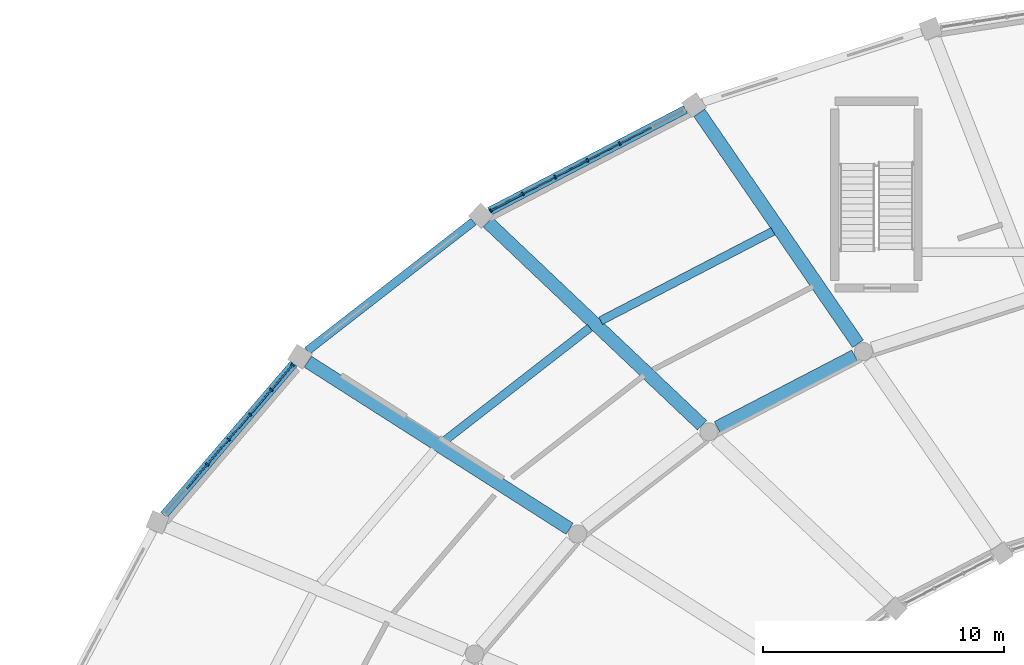
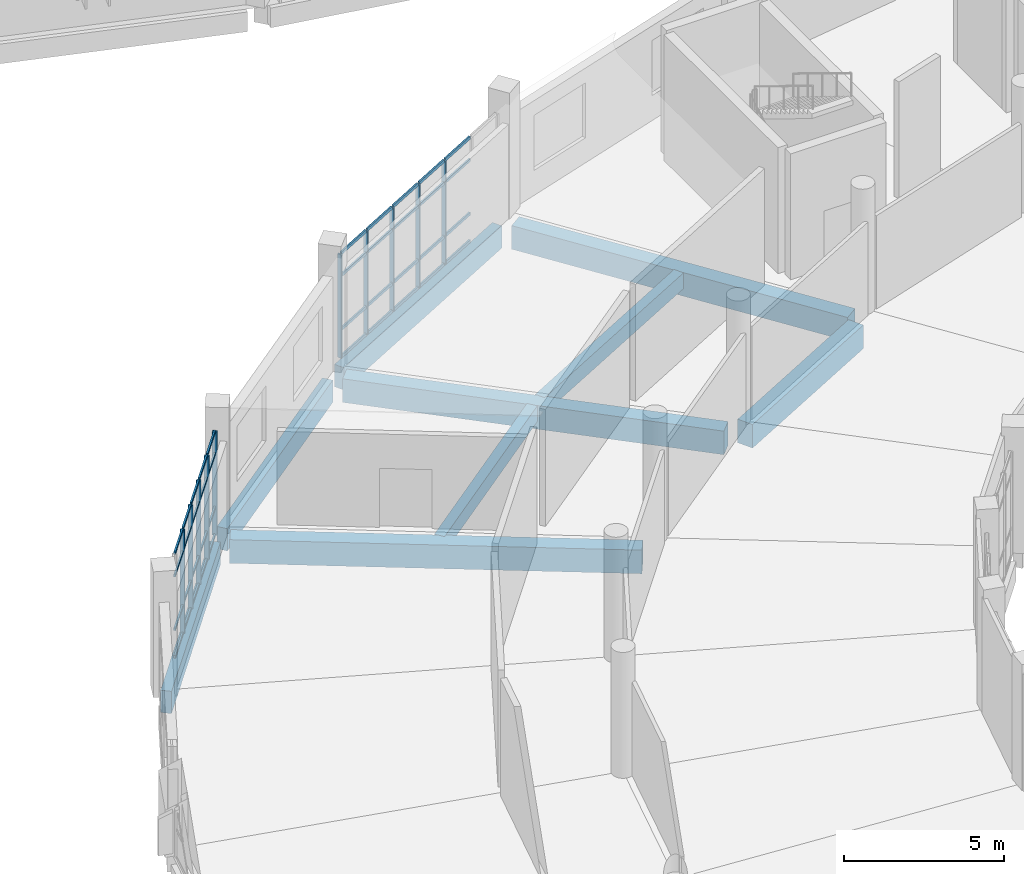
# One storey, part 26 of 179: 50 members, 9 beams, 2 elements without a shape of their own.
"""IFC4 building model written with IfcOpenShell, lengths in metres."""

from ifc_helpers import new_model, si_unit, direction, frame, origin, origin_2d, place, context, subcontext, project, spatial, rectangle, extrude, material, layer, layer_set, material_profile, profile_set, type_object, element, aggregate, save


model = new_model("IFC4")

# Units and contexts
model_context = context("Model", 3, precision=1e-05, world=origin(), true_north=direction((0.0, 1.0)))
body_context = subcontext(model_context, "Body", "Model", "MODEL_VIEW")
ifc_project = project(units=[si_unit("LENGTHUNIT", "METRE"), si_unit("AREAUNIT", "SQUARE_METRE"), si_unit("VOLUMEUNIT", "CUBIC_METRE"), si_unit("PLANEANGLEUNIT", "RADIAN"), si_unit("MASSUNIT", "GRAM", prefix="KILO")], contexts=[model_context])

# Site, building, storey
site_placement = place(None, origin())
site = spatial("IfcSite", under=ifc_project, at=site_placement, CompositionType="ELEMENT")
building_placement = place(site_placement, origin())
building = spatial("IfcBuilding", under=site, at=building_placement, Name="Corvandel Quay Wholesale Market", CompositionType="ELEMENT")
storey_placement = place(building_placement, frame((0.0, 0.0, 6.0)))
storey = spatial("IfcBuildingStorey", under=building, at=storey_placement, Name="L01", CompositionType="ELEMENT", Elevation=6.0)

# Curtain wall, members
ifc_material_1 = material(Name="Bronze anodised aluminium and low-E insulated glazing", Category="aluminium")
ifc_layer_1 = layer(ifc_material_1, 0.14990234375)
ifc_layer_set_1 = layer_set([ifc_layer_1], Name="Bronze anodised aluminium and low-E insulated glazing")
curtain_wall_type_1 = type_object("IfcCurtainWallType", Name="Stick Curtain Wall System CW15 H4350", PredefinedType="NOTDEFINED", material=ifc_layer_set_1)
curtain_wall_1_placement = place(storey_placement, origin())
curtain_wall_1 = element("IfcCurtainWall", 1, at=curtain_wall_1_placement, inside=storey, type_object=curtain_wall_type_1, Name="Curtain Wall CW-0031", PredefinedType="NOTDEFINED")
ifc_material_2 = material(Name="Anodised aluminium 6063-T6", Category="aluminium")
ifc_material_profile_1 = material_profile(ifc_material_2, rectangle(XDim=0.06494140625, YDim=0.14990234375, at=origin_2d()), Name="ALU-MUL-65x150")
ifc_profile_set_1 = profile_set([ifc_material_profile_1], Name="Anodised aluminium 6063-T6")
member_type_1 = type_object("IfcMemberType", Name="Curtain Wall Mullion ML02 65x150", PredefinedType="MULLION", material=ifc_profile_set_1)
member_1_placement = place(storey_placement, frame((85.33984375, 77.618896484375, 0.0), z_axis=(0.0, 0.0, 1.0), x_axis=(0.887332978338, 0.461129250378, 0.0)))
member_1 = element("IfcMember", 2, at=member_1_placement, type_object=member_type_1, Name="Mullion CW-0031-M02", PredefinedType="MULLION", context=body_context, shape_type="SweptSolid", body=[
    extrude(rectangle(XDim=0.06494140625, YDim=0.14990234375, at=origin_2d()), origin(), (0.0, 0.0, 1.0), 3.949951171875),
])
member_2_placement = place(storey_placement, frame((83.9990234375, 76.922119140625, 0.0), z_axis=(0.0, 0.0, 1.0), x_axis=(0.887332978338, 0.461129250378, 0.0)))
member_2 = element("IfcMember", 3, at=member_2_placement, type_object=member_type_1, Name="Mullion CW-0031-M03", PredefinedType="MULLION", context=body_context, shape_type="SweptSolid", body=[
    extrude(rectangle(XDim=0.06494140625, YDim=0.14990234375, at=origin_2d()), origin(), (0.0, 0.0, 1.0), 3.949951171875),
])
member_3_placement = place(storey_placement, frame((82.658203125, 76.22509765625, 0.0), z_axis=(0.0, 0.0, 1.0), x_axis=(0.887332978338, 0.461129250378, 0.0)))
member_3 = element("IfcMember", 4, at=member_3_placement, type_object=member_type_1, Name="Mullion CW-0031-M04", PredefinedType="MULLION", context=body_context, shape_type="SweptSolid", body=[
    extrude(rectangle(XDim=0.06494140625, YDim=0.14990234375, at=origin_2d()), origin(), (0.0, 0.0, 1.0), 3.949951171875),
])
member_4_placement = place(storey_placement, frame((81.317138671875, 75.5283203125, 0.0), z_axis=(0.0, 0.0, 1.0), x_axis=(0.887332978338, 0.461129250378, 0.0)))
member_4 = element("IfcMember", 5, at=member_4_placement, type_object=member_type_1, Name="Mullion CW-0031-M05", PredefinedType="MULLION", context=body_context, shape_type="SweptSolid", body=[
    extrude(rectangle(XDim=0.06494140625, YDim=0.14990234375, at=origin_2d()), origin(), (0.0, 0.0, 1.0), 3.949951171875),
])
member_5_placement = place(storey_placement, frame((79.976318359375, 74.83154296875, 0.0), z_axis=(0.0, 0.0, 1.0), x_axis=(0.887332978338, 0.461129250378, 0.0)))
member_5 = element("IfcMember", 6, at=member_5_placement, type_object=member_type_1, Name="Mullion CW-0031-M06", PredefinedType="MULLION", context=body_context, shape_type="SweptSolid", body=[
    extrude(rectangle(XDim=0.06494140625, YDim=0.14990234375, at=origin_2d()), origin(), (0.0, 0.0, 1.0), 3.949951171875),
])

ifc_layer_2 = layer(ifc_material_1, 0.174072265625)
ifc_layer_set_2 = layer_set([ifc_layer_2], Name="Bronze anodised aluminium and low-E insulated glazing")
curtain_wall_type_2 = type_object("IfcCurtainWallType", Name="Stick Curtain Wall System CW17 H4530", PredefinedType="NOTDEFINED", material=ifc_layer_set_2)
curtain_wall_2_placement = place(storey_placement, origin())
curtain_wall_2 = element("IfcCurtainWall", 7, at=curtain_wall_2_placement, inside=storey, type_object=curtain_wall_type_2, Name="Curtain Wall CW-0036", PredefinedType="NOTDEFINED")
member_6_placement = place(storey_placement, frame((71.76171875, 68.431640625, 0.0), z_axis=(0.0, 0.0, 1.0), x_axis=(0.651568967347, 0.758589401976, 0.0)))
member_6 = element("IfcMember", 8, at=member_6_placement, type_object=member_type_1, Name="Mullion CW-0036-M00", PredefinedType="MULLION", context=body_context, shape_type="SweptSolid", body=[
    extrude(rectangle(XDim=0.06494140625, YDim=0.14990234375, at=origin_2d()), origin(), (0.0, 0.0, 1.0), 3.949951171875),
])
member_7_placement = place(storey_placement, frame((70.874755859375, 67.39892578125, 0.0), z_axis=(0.0, 0.0, 1.0), x_axis=(0.651568967347, 0.758589401976, 0.0)))
member_7 = element("IfcMember", 9, at=member_7_placement, type_object=member_type_1, Name="Mullion CW-0036-M01", PredefinedType="MULLION", context=body_context, shape_type="SweptSolid", body=[
    extrude(rectangle(XDim=0.06494140625, YDim=0.14990234375, at=origin_2d()), origin(), (0.0, 0.0, 1.0), 3.949951171875),
])
member_8_placement = place(storey_placement, frame((69.987548828125, 66.3662109375, 0.0), z_axis=(0.0, 0.0, 1.0), x_axis=(0.651568967347, 0.758589401976, 0.0)))
member_8 = element("IfcMember", 10, at=member_8_placement, type_object=member_type_1, Name="Mullion CW-0036-M02", PredefinedType="MULLION", context=body_context, shape_type="SweptSolid", body=[
    extrude(rectangle(XDim=0.06494140625, YDim=0.14990234375, at=origin_2d()), origin(), (0.0, 0.0, 1.0), 3.949951171875),
])
member_9_placement = place(storey_placement, frame((69.1005859375, 65.33349609375, 0.0), z_axis=(0.0, 0.0, 1.0), x_axis=(0.651568967347, 0.758589401976, 0.0)))
member_9 = element("IfcMember", 11, at=member_9_placement, type_object=member_type_1, Name="Mullion CW-0036-M03", PredefinedType="MULLION", context=body_context, shape_type="SweptSolid", body=[
    extrude(rectangle(XDim=0.06494140625, YDim=0.14990234375, at=origin_2d()), origin(), (0.0, 0.0, 1.0), 3.949951171875),
])
member_10_placement = place(storey_placement, frame((68.21337890625, 64.30078125, 0.0), z_axis=(0.0, 0.0, 1.0), x_axis=(0.651568967347, 0.758589401976, 0.0)))
member_10 = element("IfcMember", 12, at=member_10_placement, type_object=member_type_1, Name="Mullion CW-0036-M04", PredefinedType="MULLION", context=body_context, shape_type="SweptSolid", body=[
    extrude(rectangle(XDim=0.06494140625, YDim=0.14990234375, at=origin_2d()), origin(), (0.0, 0.0, 1.0), 3.949951171875),
])

# Member
ifc_material_profile_2 = material_profile(ifc_material_2, rectangle(XDim=0.06005859375, YDim=0.110107421875, at=origin_2d()), Name="ALU-TRN-60x110")
ifc_profile_set_2 = profile_set([ifc_material_profile_2], Name="Anodised aluminium 6063-T6")
member_type_2 = type_object("IfcMemberType", Name="Curtain Wall Transom TR02 60x110", PredefinedType="USERDEFINED", material=ifc_profile_set_2)
member_11_placement = place(storey_placement, frame((86.652099609375, 78.30078125, 0.0), z_axis=(-0.887330080745, -0.46113482606, 0.0), x_axis=(0.46113482606, -0.887330080745, 0.0)))
member_11 = element("IfcMember", 13, at=member_11_placement, type_object=member_type_2, Name="Transom CW-0031-T01-0", ObjectType="TRANSOM", PredefinedType="USERDEFINED", context=body_context, shape_type="SweptSolid", body=[
    extrude(rectangle(XDim=0.06005859375, YDim=0.110107421875, at=origin_2d()), origin(), (0.0, 0.0, 1.0), 1.446533203125),
])

member_12_placement = place(storey_placement, frame((86.652099609375, 78.30078125, 1.050048828125), z_axis=(-0.887330080745, -0.46113482606, 0.0), x_axis=(0.46113482606, -0.887330080745, 0.0)))
member_12 = element("IfcMember", 14, at=member_12_placement, type_object=member_type_2, Name="Transom CW-0031-T01-1", ObjectType="TRANSOM", PredefinedType="USERDEFINED", context=body_context, shape_type="SweptSolid", body=[
    extrude(rectangle(XDim=0.06005859375, YDim=0.110107421875, at=origin_2d()), origin(), (0.0, 0.0, 1.0), 1.446533203125),
])

member_13_placement = place(storey_placement, frame((86.652099609375, 78.30078125, 3.10009765625), z_axis=(-0.887330080745, -0.46113482606, 0.0), x_axis=(0.46113482606, -0.887330080745, 0.0)))
member_13 = element("IfcMember", 15, at=member_13_placement, type_object=member_type_2, Name="Transom CW-0031-T01-2", ObjectType="TRANSOM", PredefinedType="USERDEFINED", context=body_context, shape_type="SweptSolid", body=[
    extrude(rectangle(XDim=0.06005859375, YDim=0.110107421875, at=origin_2d()), origin(), (0.0, 0.0, 1.0), 1.446533203125),
])

member_14_placement = place(storey_placement, frame((86.652099609375, 78.30078125, 3.949951171875), z_axis=(-0.887330080745, -0.46113482606, 0.0), x_axis=(0.46113482606, -0.887330080745, 0.0)))
member_14 = element("IfcMember", 16, at=member_14_placement, type_object=member_type_2, Name="Transom CW-0031-T01-3", ObjectType="TRANSOM", PredefinedType="USERDEFINED", context=body_context, shape_type="SweptSolid", body=[
    extrude(rectangle(XDim=0.06005859375, YDim=0.110107421875, at=origin_2d()), origin(), (0.0, 0.0, 1.0), 1.446533203125),
])

member_15_placement = place(storey_placement, frame((85.31103515625, 77.603759765625, 0.0), z_axis=(-0.887363258925, -0.461070977953, 0.0), x_axis=(0.461070977953, -0.887363258925, 0.0)))
member_15 = element("IfcMember", 17, at=member_15_placement, type_object=member_type_2, Name="Transom CW-0031-T02-0", ObjectType="TRANSOM", PredefinedType="USERDEFINED", context=body_context, shape_type="SweptSolid", body=[
    extrude(rectangle(XDim=0.06005859375, YDim=0.110107421875, at=origin_2d()), origin(), (0.0, 0.0, 1.0), 1.446044921875),
])

member_16_placement = place(storey_placement, frame((85.31103515625, 77.603759765625, 1.050048828125), z_axis=(-0.887363258925, -0.461070977953, 0.0), x_axis=(0.461070977953, -0.887363258925, 0.0)))
member_16 = element("IfcMember", 18, at=member_16_placement, type_object=member_type_2, Name="Transom CW-0031-T02-1", ObjectType="TRANSOM", PredefinedType="USERDEFINED", context=body_context, shape_type="SweptSolid", body=[
    extrude(rectangle(XDim=0.06005859375, YDim=0.110107421875, at=origin_2d()), origin(), (0.0, 0.0, 1.0), 1.446044921875),
])

member_17_placement = place(storey_placement, frame((85.31103515625, 77.603759765625, 3.10009765625), z_axis=(-0.887363258925, -0.461070977953, 0.0), x_axis=(0.461070977953, -0.887363258925, 0.0)))
member_17 = element("IfcMember", 19, at=member_17_placement, type_object=member_type_2, Name="Transom CW-0031-T02-2", ObjectType="TRANSOM", PredefinedType="USERDEFINED", context=body_context, shape_type="SweptSolid", body=[
    extrude(rectangle(XDim=0.06005859375, YDim=0.110107421875, at=origin_2d()), origin(), (0.0, 0.0, 1.0), 1.446044921875),
])

member_18_placement = place(storey_placement, frame((85.31103515625, 77.603759765625, 3.949951171875), z_axis=(-0.887363258925, -0.461070977953, 0.0), x_axis=(0.461070977953, -0.887363258925, 0.0)))
member_18 = element("IfcMember", 20, at=member_18_placement, type_object=member_type_2, Name="Transom CW-0031-T02-3", ObjectType="TRANSOM", PredefinedType="USERDEFINED", context=body_context, shape_type="SweptSolid", body=[
    extrude(rectangle(XDim=0.06005859375, YDim=0.110107421875, at=origin_2d()), origin(), (0.0, 0.0, 1.0), 1.446044921875),
])

member_19_placement = place(storey_placement, frame((83.97021484375, 76.906982421875, 0.0), z_axis=(-0.887363258925, -0.461070977953, 0.0), x_axis=(0.461070977953, -0.887363258925, 0.0)))
member_19 = element("IfcMember", 21, at=member_19_placement, type_object=member_type_2, Name="Transom CW-0031-T03-0", ObjectType="TRANSOM", PredefinedType="USERDEFINED", context=body_context, shape_type="SweptSolid", body=[
    extrude(rectangle(XDim=0.06005859375, YDim=0.110107421875, at=origin_2d()), origin(), (0.0, 0.0, 1.0), 1.446044921875),
])

member_20_placement = place(storey_placement, frame((83.97021484375, 76.906982421875, 1.050048828125), z_axis=(-0.887363258925, -0.461070977953, 0.0), x_axis=(0.461070977953, -0.887363258925, 0.0)))
member_20 = element("IfcMember", 22, at=member_20_placement, type_object=member_type_2, Name="Transom CW-0031-T03-1", ObjectType="TRANSOM", PredefinedType="USERDEFINED", context=body_context, shape_type="SweptSolid", body=[
    extrude(rectangle(XDim=0.06005859375, YDim=0.110107421875, at=origin_2d()), origin(), (0.0, 0.0, 1.0), 1.446044921875),
])

member_21_placement = place(storey_placement, frame((83.97021484375, 76.906982421875, 3.10009765625), z_axis=(-0.887363258925, -0.461070977953, 0.0), x_axis=(0.461070977953, -0.887363258925, 0.0)))
member_21 = element("IfcMember", 23, at=member_21_placement, type_object=member_type_2, Name="Transom CW-0031-T03-2", ObjectType="TRANSOM", PredefinedType="USERDEFINED", context=body_context, shape_type="SweptSolid", body=[
    extrude(rectangle(XDim=0.06005859375, YDim=0.110107421875, at=origin_2d()), origin(), (0.0, 0.0, 1.0), 1.446044921875),
])

member_22_placement = place(storey_placement, frame((83.97021484375, 76.906982421875, 3.949951171875), z_axis=(-0.887363258925, -0.461070977953, 0.0), x_axis=(0.461070977953, -0.887363258925, 0.0)))
member_22 = element("IfcMember", 24, at=member_22_placement, type_object=member_type_2, Name="Transom CW-0031-T03-3", ObjectType="TRANSOM", PredefinedType="USERDEFINED", context=body_context, shape_type="SweptSolid", body=[
    extrude(rectangle(XDim=0.06005859375, YDim=0.110107421875, at=origin_2d()), origin(), (0.0, 0.0, 1.0), 1.446044921875),
])

member_23_placement = place(storey_placement, frame((82.62939453125, 76.210205078125, 0.0), z_axis=(-0.887330080745, -0.46113482606, 0.0), x_axis=(0.46113482606, -0.887330080745, 0.0)))
member_23 = element("IfcMember", 25, at=member_23_placement, type_object=member_type_2, Name="Transom CW-0031-T04-0", ObjectType="TRANSOM", PredefinedType="USERDEFINED", context=body_context, shape_type="SweptSolid", body=[
    extrude(rectangle(XDim=0.06005859375, YDim=0.110107421875, at=origin_2d()), origin(), (0.0, 0.0, 1.0), 1.446533203125),
])

member_24_placement = place(storey_placement, frame((82.62939453125, 76.210205078125, 1.050048828125), z_axis=(-0.887330080745, -0.46113482606, 0.0), x_axis=(0.46113482606, -0.887330080745, 0.0)))
member_24 = element("IfcMember", 26, at=member_24_placement, type_object=member_type_2, Name="Transom CW-0031-T04-1", ObjectType="TRANSOM", PredefinedType="USERDEFINED", context=body_context, shape_type="SweptSolid", body=[
    extrude(rectangle(XDim=0.06005859375, YDim=0.110107421875, at=origin_2d()), origin(), (0.0, 0.0, 1.0), 1.446533203125),
])

member_25_placement = place(storey_placement, frame((82.62939453125, 76.210205078125, 3.10009765625), z_axis=(-0.887330080745, -0.46113482606, 0.0), x_axis=(0.46113482606, -0.887330080745, 0.0)))
member_25 = element("IfcMember", 27, at=member_25_placement, type_object=member_type_2, Name="Transom CW-0031-T04-2", ObjectType="TRANSOM", PredefinedType="USERDEFINED", context=body_context, shape_type="SweptSolid", body=[
    extrude(rectangle(XDim=0.06005859375, YDim=0.110107421875, at=origin_2d()), origin(), (0.0, 0.0, 1.0), 1.446533203125),
])

member_26_placement = place(storey_placement, frame((82.62939453125, 76.210205078125, 3.949951171875), z_axis=(-0.887330080745, -0.46113482606, 0.0), x_axis=(0.46113482606, -0.887330080745, 0.0)))
member_26 = element("IfcMember", 28, at=member_26_placement, type_object=member_type_2, Name="Transom CW-0031-T04-3", ObjectType="TRANSOM", PredefinedType="USERDEFINED", context=body_context, shape_type="SweptSolid", body=[
    extrude(rectangle(XDim=0.06005859375, YDim=0.110107421875, at=origin_2d()), origin(), (0.0, 0.0, 1.0), 1.446533203125),
])

member_27_placement = place(storey_placement, frame((81.288330078125, 75.51318359375, 0.0), z_axis=(-0.887363258925, -0.461070977953, 0.0), x_axis=(0.461070977953, -0.887363258925, 0.0)))
member_27 = element("IfcMember", 29, at=member_27_placement, type_object=member_type_2, Name="Transom CW-0031-T05-0", ObjectType="TRANSOM", PredefinedType="USERDEFINED", context=body_context, shape_type="SweptSolid", body=[
    extrude(rectangle(XDim=0.06005859375, YDim=0.110107421875, at=origin_2d()), origin(), (0.0, 0.0, 1.0), 1.446044921875),
])

member_28_placement = place(storey_placement, frame((81.288330078125, 75.51318359375, 1.050048828125), z_axis=(-0.887363258925, -0.461070977953, 0.0), x_axis=(0.461070977953, -0.887363258925, 0.0)))
member_28 = element("IfcMember", 30, at=member_28_placement, type_object=member_type_2, Name="Transom CW-0031-T05-1", ObjectType="TRANSOM", PredefinedType="USERDEFINED", context=body_context, shape_type="SweptSolid", body=[
    extrude(rectangle(XDim=0.06005859375, YDim=0.110107421875, at=origin_2d()), origin(), (0.0, 0.0, 1.0), 1.446044921875),
])

member_29_placement = place(storey_placement, frame((81.288330078125, 75.51318359375, 3.10009765625), z_axis=(-0.887363258925, -0.461070977953, 0.0), x_axis=(0.461070977953, -0.887363258925, 0.0)))
member_29 = element("IfcMember", 31, at=member_29_placement, type_object=member_type_2, Name="Transom CW-0031-T05-2", ObjectType="TRANSOM", PredefinedType="USERDEFINED", context=body_context, shape_type="SweptSolid", body=[
    extrude(rectangle(XDim=0.06005859375, YDim=0.110107421875, at=origin_2d()), origin(), (0.0, 0.0, 1.0), 1.446044921875),
])

member_30_placement = place(storey_placement, frame((81.288330078125, 75.51318359375, 3.949951171875), z_axis=(-0.887363258925, -0.461070977953, 0.0), x_axis=(0.461070977953, -0.887363258925, 0.0)))
member_30 = element("IfcMember", 32, at=member_30_placement, type_object=member_type_2, Name="Transom CW-0031-T05-3", ObjectType="TRANSOM", PredefinedType="USERDEFINED", context=body_context, shape_type="SweptSolid", body=[
    extrude(rectangle(XDim=0.06005859375, YDim=0.110107421875, at=origin_2d()), origin(), (0.0, 0.0, 1.0), 1.446044921875),
])

aggregate(curtain_wall_1, [member_1, member_2, member_3, member_4, member_5, member_11, member_12, member_13, member_14, member_15, member_16, member_17, member_18, member_19, member_20, member_21, member_22, member_23, member_24, member_25, member_26, member_27, member_28, member_29, member_30])

member_31_placement = place(storey_placement, frame((71.740478515625, 68.406982421875, 0.0), z_axis=(-0.651489086867, -0.758658005753, 0.0), x_axis=(0.758658005753, -0.651489086867, 0.0)))
member_31 = element("IfcMember", 33, at=member_31_placement, type_object=member_type_2, Name="Transom CW-0036-T00-0", ObjectType="TRANSOM", PredefinedType="USERDEFINED", context=body_context, shape_type="SweptSolid", body=[
    extrude(rectangle(XDim=0.06005859375, YDim=0.110107421875, at=origin_2d()), origin(), (0.0, 0.0, 1.0), 1.296142578125),
])

member_32_placement = place(storey_placement, frame((71.740478515625, 68.406982421875, 1.050048828125), z_axis=(-0.651489086867, -0.758658005753, 0.0), x_axis=(0.758658005753, -0.651489086867, 0.0)))
member_32 = element("IfcMember", 34, at=member_32_placement, type_object=member_type_2, Name="Transom CW-0036-T00-1", ObjectType="TRANSOM", PredefinedType="USERDEFINED", context=body_context, shape_type="SweptSolid", body=[
    extrude(rectangle(XDim=0.06005859375, YDim=0.110107421875, at=origin_2d()), origin(), (0.0, 0.0, 1.0), 1.296142578125),
])

member_33_placement = place(storey_placement, frame((71.740478515625, 68.406982421875, 3.10009765625), z_axis=(-0.651489086867, -0.758658005753, 0.0), x_axis=(0.758658005753, -0.651489086867, 0.0)))
member_33 = element("IfcMember", 35, at=member_33_placement, type_object=member_type_2, Name="Transom CW-0036-T00-2", ObjectType="TRANSOM", PredefinedType="USERDEFINED", context=body_context, shape_type="SweptSolid", body=[
    extrude(rectangle(XDim=0.06005859375, YDim=0.110107421875, at=origin_2d()), origin(), (0.0, 0.0, 1.0), 1.296142578125),
])

member_34_placement = place(storey_placement, frame((71.740478515625, 68.406982421875, 3.949951171875), z_axis=(-0.651489086867, -0.758658005753, 0.0), x_axis=(0.758658005753, -0.651489086867, 0.0)))
member_34 = element("IfcMember", 36, at=member_34_placement, type_object=member_type_2, Name="Transom CW-0036-T00-3", ObjectType="TRANSOM", PredefinedType="USERDEFINED", context=body_context, shape_type="SweptSolid", body=[
    extrude(rectangle(XDim=0.06005859375, YDim=0.110107421875, at=origin_2d()), origin(), (0.0, 0.0, 1.0), 1.296142578125),
])

member_35_placement = place(storey_placement, frame((70.853515625, 67.374267578125, 0.0), z_axis=(-0.651597471756, -0.758564917987, 0.0), x_axis=(0.758564917987, -0.651597471756, 0.0)))
member_35 = element("IfcMember", 37, at=member_35_placement, type_object=member_type_2, Name="Transom CW-0036-T01-0", ObjectType="TRANSOM", PredefinedType="USERDEFINED", context=body_context, shape_type="SweptSolid", body=[
    extrude(rectangle(XDim=0.06005859375, YDim=0.110107421875, at=origin_2d()), origin(), (0.0, 0.0, 1.0), 1.29638671875),
])

member_36_placement = place(storey_placement, frame((70.853515625, 67.374267578125, 1.050048828125), z_axis=(-0.651597471756, -0.758564917987, 0.0), x_axis=(0.758564917987, -0.651597471756, 0.0)))
member_36 = element("IfcMember", 38, at=member_36_placement, type_object=member_type_2, Name="Transom CW-0036-T01-1", ObjectType="TRANSOM", PredefinedType="USERDEFINED", context=body_context, shape_type="SweptSolid", body=[
    extrude(rectangle(XDim=0.06005859375, YDim=0.110107421875, at=origin_2d()), origin(), (0.0, 0.0, 1.0), 1.29638671875),
])

member_37_placement = place(storey_placement, frame((70.853515625, 67.374267578125, 3.10009765625), z_axis=(-0.651597471756, -0.758564917987, 0.0), x_axis=(0.758564917987, -0.651597471756, 0.0)))
member_37 = element("IfcMember", 39, at=member_37_placement, type_object=member_type_2, Name="Transom CW-0036-T01-2", ObjectType="TRANSOM", PredefinedType="USERDEFINED", context=body_context, shape_type="SweptSolid", body=[
    extrude(rectangle(XDim=0.06005859375, YDim=0.110107421875, at=origin_2d()), origin(), (0.0, 0.0, 1.0), 1.29638671875),
])

member_38_placement = place(storey_placement, frame((70.853515625, 67.374267578125, 3.949951171875), z_axis=(-0.651597471756, -0.758564917987, 0.0), x_axis=(0.758564917987, -0.651597471756, 0.0)))
member_38 = element("IfcMember", 40, at=member_38_placement, type_object=member_type_2, Name="Transom CW-0036-T01-3", ObjectType="TRANSOM", PredefinedType="USERDEFINED", context=body_context, shape_type="SweptSolid", body=[
    extrude(rectangle(XDim=0.06005859375, YDim=0.110107421875, at=origin_2d()), origin(), (0.0, 0.0, 1.0), 1.29638671875),
])

member_39_placement = place(storey_placement, frame((69.96630859375, 66.341552734375, 0.0), z_axis=(-0.651597471756, -0.758564917987, 0.0), x_axis=(0.758564917987, -0.651597471756, 0.0)))
member_39 = element("IfcMember", 41, at=member_39_placement, type_object=member_type_2, Name="Transom CW-0036-T02-0", ObjectType="TRANSOM", PredefinedType="USERDEFINED", context=body_context, shape_type="SweptSolid", body=[
    extrude(rectangle(XDim=0.06005859375, YDim=0.110107421875, at=origin_2d()), origin(), (0.0, 0.0, 1.0), 1.29638671875),
])

member_40_placement = place(storey_placement, frame((69.96630859375, 66.341552734375, 1.050048828125), z_axis=(-0.651597471756, -0.758564917987, 0.0), x_axis=(0.758564917987, -0.651597471756, 0.0)))
member_40 = element("IfcMember", 42, at=member_40_placement, type_object=member_type_2, Name="Transom CW-0036-T02-1", ObjectType="TRANSOM", PredefinedType="USERDEFINED", context=body_context, shape_type="SweptSolid", body=[
    extrude(rectangle(XDim=0.06005859375, YDim=0.110107421875, at=origin_2d()), origin(), (0.0, 0.0, 1.0), 1.29638671875),
])

member_41_placement = place(storey_placement, frame((69.96630859375, 66.341552734375, 3.10009765625), z_axis=(-0.651597471756, -0.758564917987, 0.0), x_axis=(0.758564917987, -0.651597471756, 0.0)))
member_41 = element("IfcMember", 43, at=member_41_placement, type_object=member_type_2, Name="Transom CW-0036-T02-2", ObjectType="TRANSOM", PredefinedType="USERDEFINED", context=body_context, shape_type="SweptSolid", body=[
    extrude(rectangle(XDim=0.06005859375, YDim=0.110107421875, at=origin_2d()), origin(), (0.0, 0.0, 1.0), 1.29638671875),
])

member_42_placement = place(storey_placement, frame((69.96630859375, 66.341552734375, 3.949951171875), z_axis=(-0.651597471756, -0.758564917987, 0.0), x_axis=(0.758564917987, -0.651597471756, 0.0)))
member_42 = element("IfcMember", 44, at=member_42_placement, type_object=member_type_2, Name="Transom CW-0036-T02-3", ObjectType="TRANSOM", PredefinedType="USERDEFINED", context=body_context, shape_type="SweptSolid", body=[
    extrude(rectangle(XDim=0.06005859375, YDim=0.110107421875, at=origin_2d()), origin(), (0.0, 0.0, 1.0), 1.29638671875),
])

member_43_placement = place(storey_placement, frame((69.079345703125, 65.308837890625, 0.0), z_axis=(-0.651597471756, -0.758564917987, 0.0), x_axis=(0.758564917987, -0.651597471756, 0.0)))
member_43 = element("IfcMember", 45, at=member_43_placement, type_object=member_type_2, Name="Transom CW-0036-T03-0", ObjectType="TRANSOM", PredefinedType="USERDEFINED", context=body_context, shape_type="SweptSolid", body=[
    extrude(rectangle(XDim=0.06005859375, YDim=0.110107421875, at=origin_2d()), origin(), (0.0, 0.0, 1.0), 1.29638671875),
])

member_44_placement = place(storey_placement, frame((69.079345703125, 65.308837890625, 1.050048828125), z_axis=(-0.651597471756, -0.758564917987, 0.0), x_axis=(0.758564917987, -0.651597471756, 0.0)))
member_44 = element("IfcMember", 46, at=member_44_placement, type_object=member_type_2, Name="Transom CW-0036-T03-1", ObjectType="TRANSOM", PredefinedType="USERDEFINED", context=body_context, shape_type="SweptSolid", body=[
    extrude(rectangle(XDim=0.06005859375, YDim=0.110107421875, at=origin_2d()), origin(), (0.0, 0.0, 1.0), 1.29638671875),
])

member_45_placement = place(storey_placement, frame((69.079345703125, 65.308837890625, 3.10009765625), z_axis=(-0.651597471756, -0.758564917987, 0.0), x_axis=(0.758564917987, -0.651597471756, 0.0)))
member_45 = element("IfcMember", 47, at=member_45_placement, type_object=member_type_2, Name="Transom CW-0036-T03-2", ObjectType="TRANSOM", PredefinedType="USERDEFINED", context=body_context, shape_type="SweptSolid", body=[
    extrude(rectangle(XDim=0.06005859375, YDim=0.110107421875, at=origin_2d()), origin(), (0.0, 0.0, 1.0), 1.29638671875),
])

member_46_placement = place(storey_placement, frame((69.079345703125, 65.308837890625, 3.949951171875), z_axis=(-0.651597471756, -0.758564917987, 0.0), x_axis=(0.758564917987, -0.651597471756, 0.0)))
member_46 = element("IfcMember", 48, at=member_46_placement, type_object=member_type_2, Name="Transom CW-0036-T03-3", ObjectType="TRANSOM", PredefinedType="USERDEFINED", context=body_context, shape_type="SweptSolid", body=[
    extrude(rectangle(XDim=0.06005859375, YDim=0.110107421875, at=origin_2d()), origin(), (0.0, 0.0, 1.0), 1.29638671875),
])

member_47_placement = place(storey_placement, frame((68.192138671875, 64.276123046875, 0.0), z_axis=(-0.651597471756, -0.758564917987, 0.0), x_axis=(0.758564917987, -0.651597471756, 0.0)))
member_47 = element("IfcMember", 49, at=member_47_placement, type_object=member_type_2, Name="Transom CW-0036-T04-0", ObjectType="TRANSOM", PredefinedType="USERDEFINED", context=body_context, shape_type="SweptSolid", body=[
    extrude(rectangle(XDim=0.06005859375, YDim=0.110107421875, at=origin_2d()), origin(), (0.0, 0.0, 1.0), 1.29638671875),
])

member_48_placement = place(storey_placement, frame((68.192138671875, 64.276123046875, 1.050048828125), z_axis=(-0.651597471756, -0.758564917987, 0.0), x_axis=(0.758564917987, -0.651597471756, 0.0)))
member_48 = element("IfcMember", 50, at=member_48_placement, type_object=member_type_2, Name="Transom CW-0036-T04-1", ObjectType="TRANSOM", PredefinedType="USERDEFINED", context=body_context, shape_type="SweptSolid", body=[
    extrude(rectangle(XDim=0.06005859375, YDim=0.110107421875, at=origin_2d()), origin(), (0.0, 0.0, 1.0), 1.29638671875),
])

member_49_placement = place(storey_placement, frame((68.192138671875, 64.276123046875, 3.10009765625), z_axis=(-0.651597471756, -0.758564917987, 0.0), x_axis=(0.758564917987, -0.651597471756, 0.0)))
member_49 = element("IfcMember", 51, at=member_49_placement, type_object=member_type_2, Name="Transom CW-0036-T04-2", ObjectType="TRANSOM", PredefinedType="USERDEFINED", context=body_context, shape_type="SweptSolid", body=[
    extrude(rectangle(XDim=0.06005859375, YDim=0.110107421875, at=origin_2d()), origin(), (0.0, 0.0, 1.0), 1.29638671875),
])

member_50_placement = place(storey_placement, frame((68.192138671875, 64.276123046875, 3.949951171875), z_axis=(-0.651597471756, -0.758564917987, 0.0), x_axis=(0.758564917987, -0.651597471756, 0.0)))
member_50 = element("IfcMember", 52, at=member_50_placement, type_object=member_type_2, Name="Transom CW-0036-T04-3", ObjectType="TRANSOM", PredefinedType="USERDEFINED", context=body_context, shape_type="SweptSolid", body=[
    extrude(rectangle(XDim=0.06005859375, YDim=0.110107421875, at=origin_2d()), origin(), (0.0, 0.0, 1.0), 1.29638671875),
])

aggregate(curtain_wall_2, [member_6, member_7, member_8, member_9, member_10, member_31, member_32, member_33, member_34, member_35, member_36, member_37, member_38, member_39, member_40, member_41, member_42, member_43, member_44, member_45, member_46, member_47, member_48, member_49, member_50])

# Beams
ifc_material_3 = material(Name="Precast concrete C45/55", Category="concrete")
ifc_material_profile_3 = material_profile(ifc_material_3, rectangle(XDim=0.35009765625, YDim=0.85009765625, at=origin_2d()), Name="PC-SPN-350x850")
ifc_profile_set_3 = profile_set([ifc_material_profile_3], Name="Precast concrete C45/55")
beam_type_1 = type_object("IfcBeamType", Name="Perimeter Precast Spandrel SP01 350x850", PredefinedType="SPANDREL", material=ifc_profile_set_3)
beam_1_placement = place(storey_placement, frame((88.070556640625, 79.037841796875, -0.72509765625), z_axis=(-0.887337425386, -0.461120692997, 0.0), x_axis=(0.461120692997, -0.887337425386, 0.0)))
element("IfcBeam", 53, at=beam_1_placement, inside=storey, type_object=beam_type_1, Name="Beam BM-0127", PredefinedType="SPANDREL", context=body_context, shape_type="SweptSolid", body=[
    extrude(rectangle(XDim=0.35009765625, YDim=0.85009765625, at=origin_2d()), origin(), (0.0, 0.0, 1.0), 9.177001953125),
])
beam_2_placement = place(storey_placement, frame((79.26513671875, 74.381591796875, -0.72509765625), z_axis=(-0.789310099269, -0.613994761535, 0.0), x_axis=(0.613994761535, -0.789310099269, 0.0)))
element("IfcBeam", 54, at=beam_2_placement, inside=storey, type_object=beam_type_1, Name="Beam BM-0140", PredefinedType="SPANDREL", context=body_context, shape_type="SweptSolid", body=[
    extrude(rectangle(XDim=0.35009765625, YDim=0.85009765625, at=origin_2d()), origin(), (0.0, 0.0, 1.0), 8.73974609375),
])
beam_3_placement = place(storey_placement, frame((71.797607421875, 68.473388671875, -0.72509765625), z_axis=(-0.651599746729, -0.758562963809, 0.0), x_axis=(0.758562963809, -0.651599746729, 0.0)))
element("IfcBeam", 55, at=beam_3_placement, inside=storey, type_object=beam_type_1, Name="Beam BM-0153", PredefinedType="SPANDREL", context=body_context, shape_type="SweptSolid", body=[
    extrude(rectangle(XDim=0.35009765625, YDim=0.85009765625, at=origin_2d()), origin(), (0.0, 0.0, 1.0), 8.278564453125),
])
ifc_material_profile_4 = material_profile(ifc_material_3, rectangle(XDim=0.550048828125, YDim=0.89990234375, at=origin_2d()), Name="PC-GIR-550x900")
ifc_profile_set_4 = profile_set([ifc_material_profile_4], Name="Precast concrete C45/55")
beam_type_2 = type_object("IfcBeamType", Name="Produce Hall Radial Girder G03 550x900", PredefinedType="USERDEFINED", material=ifc_profile_set_4)
beam_4_placement = place(storey_placement, frame((95.10546875, 68.802001953125, -0.75), z_axis=(-0.887355240172, -0.461086410274, 0.0), x_axis=(0.461086410274, -0.887355240172, 0.0)))
element("IfcBeam", 56, at=beam_4_placement, inside=storey, type_object=beam_type_2, Name="Beam BM-0128", ObjectType="GIRDER", PredefinedType="USERDEFINED", context=body_context, shape_type="SweptSolid", body=[
    extrude(rectangle(XDim=0.550048828125, YDim=0.89990234375, at=origin_2d()), origin(), (0.0, 0.0, 1.0), 6.43701171875),
])
beam_5_placement = place(storey_placement, frame((88.644775390625, 78.89453125, -0.75), z_axis=(0.566411220677, -0.824122763362, 0.0), x_axis=(0.824122763362, 0.566411220677, 0.0)))
element("IfcBeam", 57, at=beam_5_placement, inside=storey, type_object=beam_type_2, Name="Beam BM-0129", ObjectType="GIRDER", PredefinedType="USERDEFINED", context=body_context, shape_type="SweptSolid", body=[
    extrude(rectangle(XDim=0.550048828125, YDim=0.89990234375, at=origin_2d()), origin(), (0.0, 0.0, 1.0), 11.630615234375),
])
beam_6_placement = place(storey_placement, frame((79.86376953125, 74.352294921875, -0.75), z_axis=(0.72578301485, -0.687923698789, 0.0), x_axis=(0.687923698789, 0.72578301485, 0.0)))
element("IfcBeam", 58, at=beam_6_placement, inside=storey, type_object=beam_type_2, Name="Beam BM-0142", ObjectType="GIRDER", PredefinedType="USERDEFINED", context=body_context, shape_type="SweptSolid", body=[
    extrude(rectangle(XDim=0.550048828125, YDim=0.89990234375, at=origin_2d()), origin(), (0.0, 0.0, 1.0), 12.25244140625),
])
beam_7_placement = place(storey_placement, frame((72.387939453125, 68.560546875, -0.75), z_axis=(0.842948152457, -0.537994806916, 0.0), x_axis=(0.537994806916, 0.842948152457, 0.0)))
element("IfcBeam", 59, at=beam_7_placement, inside=storey, type_object=beam_type_2, Name="Beam BM-0155", ObjectType="GIRDER", PredefinedType="USERDEFINED", context=body_context, shape_type="SweptSolid", body=[
    extrude(rectangle(XDim=0.550048828125, YDim=0.89990234375, at=origin_2d()), origin(), (0.0, 0.0, 1.0), 12.894287109375),
])
ifc_material_profile_5 = material_profile(ifc_material_3, rectangle(XDim=0.35009765625, YDim=0.60009765625, at=origin_2d()), Name="PC-BM-350x600")
ifc_profile_set_5 = profile_set([ifc_material_profile_5], Name="Precast concrete C45/55")
beam_type_3 = type_object("IfcBeamType", Name="Trading Gallery Secondary Beam B02 350x600", PredefinedType="BEAM", material=ifc_profile_set_5)
beam_8_placement = place(storey_placement, frame((91.703369140625, 73.979736328125, -0.60009765625), z_axis=(-0.887357981749, -0.461081134104, 0.0), x_axis=(0.461081134104, -0.887357981749, 0.0)))
element("IfcBeam", 60, at=beam_8_placement, inside=storey, type_object=beam_type_3, Name="Beam BM-0130", PredefinedType="BEAM", context=body_context, shape_type="SweptSolid", body=[
    extrude(rectangle(XDim=0.35009765625, YDim=0.60009765625, at=origin_2d()), origin(), (0.0, 0.0, 1.0), 8.06689453125),
])
beam_9_placement = place(storey_placement, frame((84.100830078125, 69.975341796875, -0.60009765625), z_axis=(-0.789333409803, -0.613964793916, 0.0), x_axis=(0.613964793916, -0.789333409803, 0.0)))
element("IfcBeam", 61, at=beam_9_placement, inside=storey, type_object=beam_type_3, Name="Beam BM-0143", PredefinedType="BEAM", context=body_context, shape_type="SweptSolid", body=[
    extrude(rectangle(XDim=0.35009765625, YDim=0.60009765625, at=origin_2d()), origin(), (0.0, 0.0, 1.0), 7.68896484375),
])

save(model, "model.ifc")
